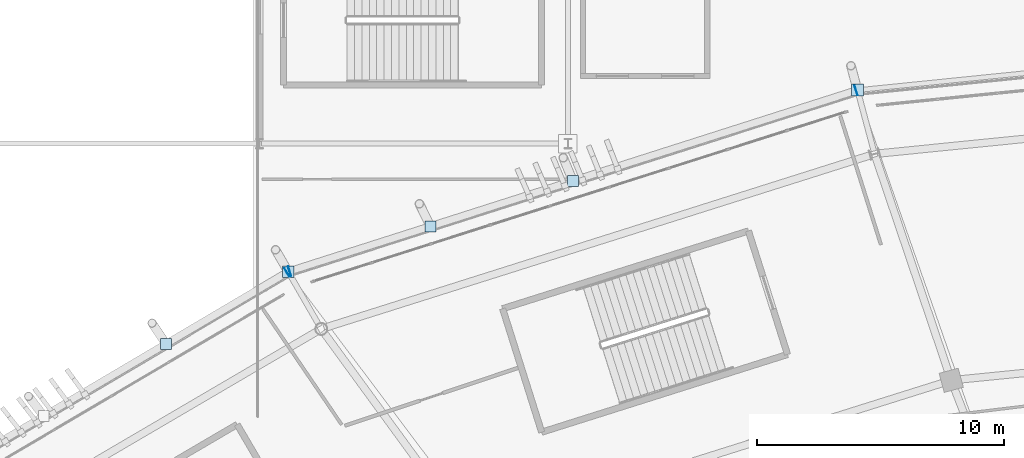
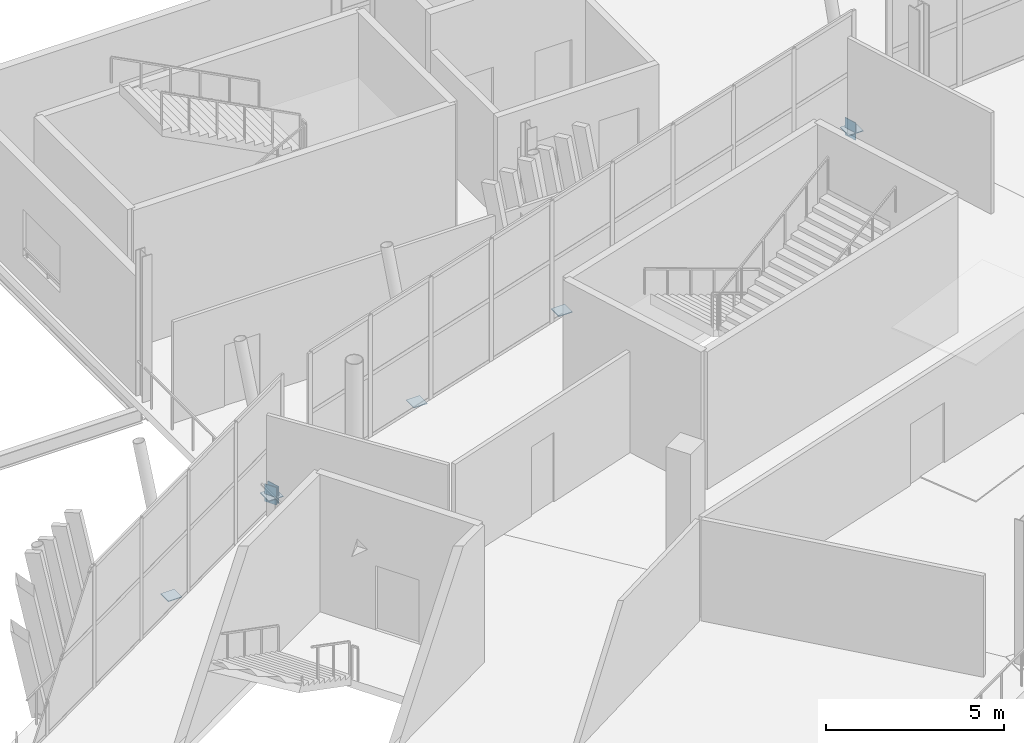
# One storey, part 118 of 179: 8 plates.
"""IFC4 building model written with IfcOpenShell, lengths in metres."""

from ifc_helpers import new_model, si_unit, direction, frame, origin, origin_2d, place, context, subcontext, project, spatial, rectangle, extrude, material, layer, layer_set, type_object, element, save


model = new_model("IFC4")

# Units and contexts
model_context = context("Model", 3, precision=1e-05, world=origin(), true_north=direction((0.0, 1.0)))
body_context = subcontext(model_context, "Body", "Model", "MODEL_VIEW")
ifc_project = project(units=[si_unit("LENGTHUNIT", "METRE"), si_unit("AREAUNIT", "SQUARE_METRE"), si_unit("VOLUMEUNIT", "CUBIC_METRE"), si_unit("PLANEANGLEUNIT", "RADIAN"), si_unit("MASSUNIT", "GRAM", prefix="KILO")], contexts=[model_context])

# Site, building, storey
site_placement = place(None, origin())
site = spatial("IfcSite", under=ifc_project, at=site_placement, CompositionType="ELEMENT")
building_placement = place(site_placement, origin())
building = spatial("IfcBuilding", under=site, at=building_placement, Name="Zlatoyarsky Gate Stadium", CompositionType="ELEMENT")
storey_placement = place(building_placement, frame((0.0, 0.0, 10.60009765625)))
storey = spatial("IfcBuildingStorey", under=building, at=storey_placement, Name="L02", CompositionType="ELEMENT", Elevation=10.60009765625)

# Plates
ifc_material = material(Name="Steel S355", Category="steel")
ifc_layer = layer(ifc_material, 0.02392578125)
ifc_layer_set = layer_set([ifc_layer], Name="Steel S355")
plate_type = type_object("IfcPlateType", Name="STEEL HOLLOW CHORD SPLICE SHEET 24", PredefinedType="SHEET", material=ifc_layer_set)
for number, where, z_axis, x_axis, name in (
    (1, (86.18017578125, 151.147216796875, -0.830078125), (0.0, 0.0, 1.0), (-0.952708534578, -0.303885583967, 0.0), "Hollow end cap ND-SP1 CAP-L02-SPD-07 A"),
    (2, (63.21923828125, 143.823486328125, -0.830078125), (0.0, 0.0, 1.0), (-0.952708534578, -0.303885583967, 0.0), "Hollow end cap ND-SP1 CAP-L02-SPD-07 B"),
):
    element("IfcPlate", number, at=place(storey_placement, frame(where, z_axis=z_axis, x_axis=x_axis)), inside=storey, type_object=plate_type, Name=name, PredefinedType="SHEET", context=body_context, shape_type="SweptSolid", body=[
        extrude(rectangle(XDim=0.02392578125, YDim=0.39990234375, at=origin_2d()), origin(), (0.0, 0.0, 1.0), 0.60009765625),
    ])
plate_1_placement = place(storey_placement, frame((86.2373046875, 151.16552734375, -0.592041015625), z_axis=(0.0, 0.0, 1.0), x_axis=(1.0, 0.0, 0.0)))
element("IfcPlate", 3, at=plate_1_placement, inside=storey, type_object=plate_type, Name="Node closure plate ND-SP1 NCAP-L02-RSTR-07", PredefinedType="SHEET", context=body_context, shape_type="SweptSolid", body=[
    extrude(rectangle(XDim=0.47998046875, YDim=0.47998046875, at=origin_2d()), origin(), (0.0, 0.0, 1.0), 0.02392578125),
])
plate_2_placement = place(storey_placement, frame((63.1103515625, 143.774658203125, -0.830078125), z_axis=(0.0, 0.0, 1.0), x_axis=(-0.860935696784, -0.508713795766, 0.0)))
element("IfcPlate", 4, at=plate_2_placement, inside=storey, type_object=plate_type, Name="Hollow end cap ND-SP1 CAP-L02-SPD-08 A", PredefinedType="SHEET", context=body_context, shape_type="SweptSolid", body=[
    extrude(rectangle(XDim=0.02392578125, YDim=0.39990234375, at=origin_2d()), origin(), (0.0, 0.0, 1.0), 0.60009765625),
])
plate_3_placement = place(storey_placement, frame((63.162109375, 143.80517578125, -0.592041015625), z_axis=(0.0, 0.0, 1.0), x_axis=(1.0, 0.0, 0.0)))
element("IfcPlate", 5, at=plate_3_placement, inside=storey, type_object=plate_type, Name="Node closure plate ND-SP1 NCAP-L02-RSTR-08", PredefinedType="SHEET", context=body_context, shape_type="SweptSolid", body=[
    extrude(rectangle(XDim=0.47998046875, YDim=0.47998046875, at=origin_2d()), origin(), (0.0, 0.0, 1.0), 0.02392578125),
])
for number, where, z_axis, x_axis, name in (
    (6, (74.69970703125, 147.4853515625, -0.5419921875), (0.0, 0.0, 1.0), (1.0, 0.0, 0.0), "Node closure plate ND-SP1 NCAP-RIB-07-2-0T"),
    (7, (68.930908203125, 145.645263671875, -0.5419921875), (0.0, 0.0, 1.0), (1.0, 0.0, 0.0), "Node closure plate ND-SP1 NCAP-RIB-07-3-0T"),
    (8, (58.208251953125, 140.878173828125, -0.5419921875), (0.0, 0.0, 1.0), (1.0, 0.0, 0.0), "Node closure plate ND-SP1 NCAP-RIB-08-1-0T"),
):
    element("IfcPlate", number, at=place(storey_placement, frame(where, z_axis=z_axis, x_axis=x_axis)), inside=storey, type_object=plate_type, Name=name, PredefinedType="SHEET", context=body_context, shape_type="SweptSolid", body=[
        extrude(rectangle(XDim=0.43994140625, YDim=0.43994140625, at=origin_2d()), origin(), (0.0, 0.0, 1.0), 0.02392578125),
    ])

save(model, "model.ifc")
